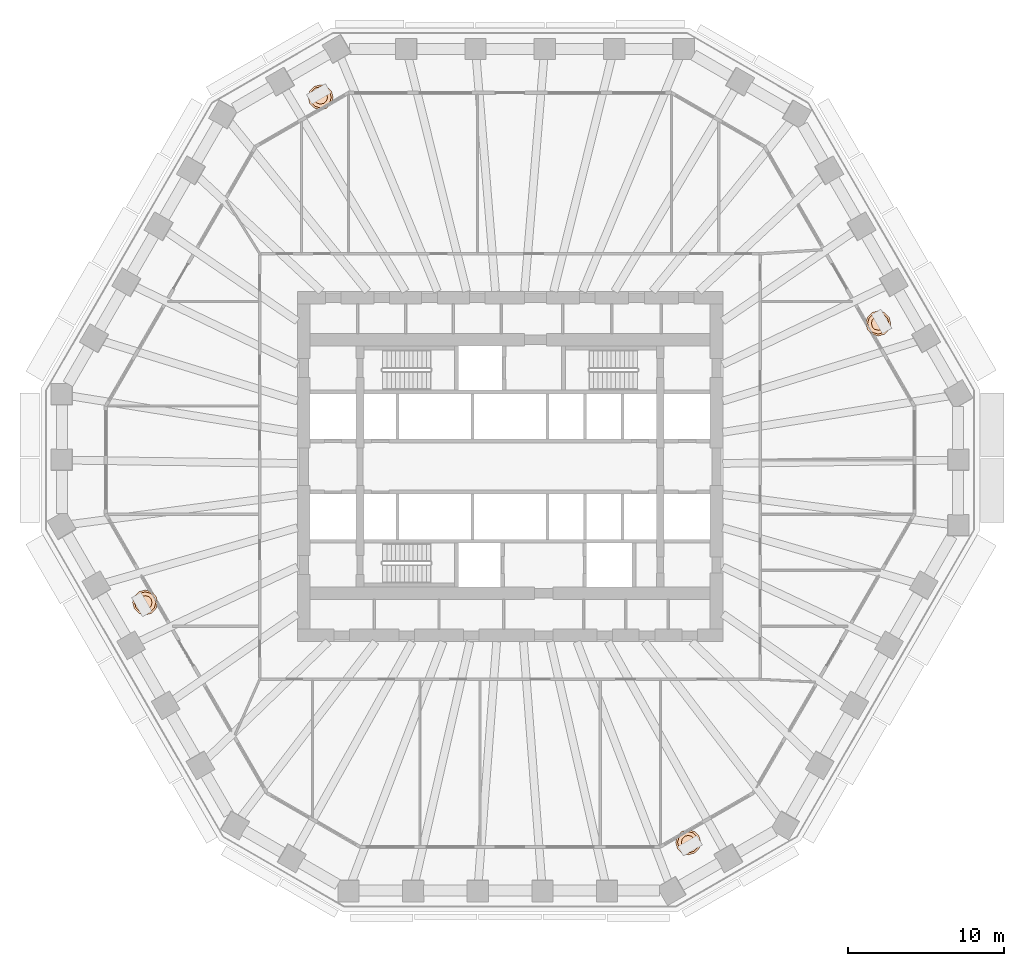
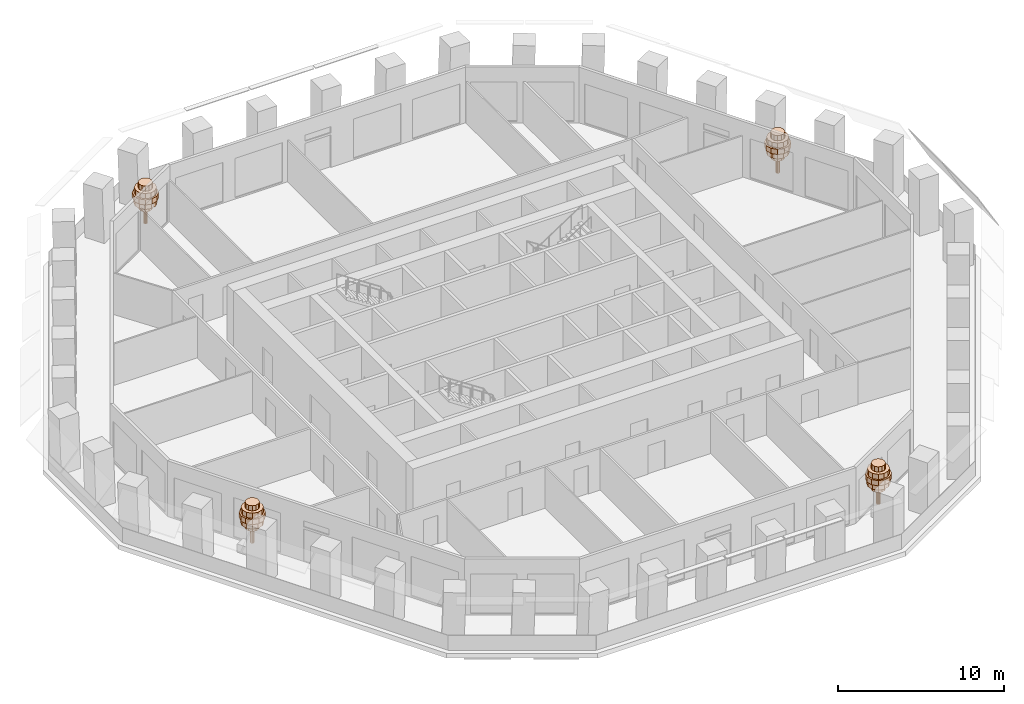
# One storey, part 13 of 13: 4 geographic elements.
"""IFC4 building model written with IfcOpenShell, lengths in metres."""

from ifc_helpers import new_model, si_unit, direction, frame, origin, place, context, subcontext, project, spatial, polyline, outline, extrude, material, type_object, element, save


model = new_model("IFC4")

# Units and contexts
model_context = context("Model", 3, precision=1e-05, world=origin(), true_north=direction((0.0, 1.0)))
body_context = subcontext(model_context, "Body", "Model", "MODEL_VIEW")
ifc_project = project(units=[si_unit("LENGTHUNIT", "METRE"), si_unit("AREAUNIT", "SQUARE_METRE"), si_unit("VOLUMEUNIT", "CUBIC_METRE"), si_unit("PLANEANGLEUNIT", "RADIAN"), si_unit("MASSUNIT", "GRAM", prefix="KILO")], contexts=[model_context])

# Site, building, storey
site_placement = place(None, origin())
site = spatial("IfcSite", under=ifc_project, at=site_placement, CompositionType="ELEMENT")
building_placement = place(site_placement, origin())
building = spatial("IfcBuilding", under=site, at=building_placement, Name="Frailejon Research Tower", CompositionType="ELEMENT")
storey_placement = place(building_placement, frame((0.0, 0.0, 94.0)))
storey = spatial("IfcBuildingStorey", under=building, at=storey_placement, Name="L20", CompositionType="ELEMENT", Elevation=94.0)

# Geographic elements
ifc_material = material(Name="Foliage, green")
geographic_element_type = type_object("IfcGeographicElementType", Name="Frailejon tree, loggia", PredefinedType="USERDEFINED", material=ifc_material)
geographic_element_1_placement = place(storey_placement, frame((23.543701171875, 9.15087890625, 0.60009765625)))
element("IfcGeographicElement", 1, at=geographic_element_1_placement, inside=storey, type_object=geographic_element_type, Name="Tree L20", ObjectType="TREE", PredefinedType="USERDEFINED", context=body_context, shape_type="SweptSolid", body=[
    extrude(outline(polyline([(0.1298828125, 0.0), (0.112548828125, 0.06494140625), (0.06494140625, 0.112548828125), (0.0, 0.1298828125), (-0.06494140625, 0.112548828125), (-0.112548828125, 0.06494140625), (-0.1298828125, 0.0), (-0.112548828125, -0.06494140625), (-0.06494140625, -0.112548828125), (0.0, -0.1298828125), (0.06494140625, -0.112548828125), (0.112548828125, -0.06494140625), (0.1298828125, 0.0)])), origin(), (0.0, 0.0, 1.0), 2.239990234375),
    extrude(outline(polyline([(0.43994140625, 0.0), (0.381103515625, 0.219970703125), (0.219970703125, 0.381103515625), (0.0, 0.43994140625), (-0.219970703125, 0.381103515625), (-0.381103515625, 0.219970703125), (-0.43994140625, 0.0), (-0.381103515625, -0.219970703125), (-0.219970703125, -0.381103515625), (0.0, -0.43994140625), (0.219970703125, -0.381103515625), (0.381103515625, -0.219970703125), (0.43994140625, 0.0)])), frame((0.0, 0.0, 1.10009765625)), (0.0, 0.0, 1.0), 0.3798828125),
    extrude(outline(polyline([(0.719970703125, 0.0), (0.62353515625, 0.360107421875), (0.360107421875, 0.62353515625), (0.0, 0.719970703125), (-0.360107421875, 0.62353515625), (-0.62353515625, 0.360107421875), (-0.719970703125, 0.0), (-0.62353515625, -0.360107421875), (-0.360107421875, -0.62353515625), (0.0, -0.719970703125), (0.360107421875, -0.62353515625), (0.62353515625, -0.360107421875), (0.719970703125, 0.0)])), frame((0.0, 0.0, 1.47998046875)), (0.0, 0.0, 1.0), 0.3798828125),
    extrude(outline(polyline([(0.800048828125, 0.0), (0.69287109375, 0.39990234375), (0.39990234375, 0.69287109375), (0.0, 0.800048828125), (-0.39990234375, 0.69287109375), (-0.69287109375, 0.39990234375), (-0.800048828125, 0.0), (-0.69287109375, -0.39990234375), (-0.39990234375, -0.69287109375), (0.0, -0.800048828125), (0.39990234375, -0.69287109375), (0.69287109375, -0.39990234375), (0.800048828125, 0.0)])), frame((0.0, 0.0, 1.860107421875)), (0.0, 0.0, 1.0), 0.3798828125),
    extrude(outline(polyline([(0.679931640625, 0.0), (0.5888671875, 0.340087890625), (0.340087890625, 0.5888671875), (0.0, 0.679931640625), (-0.340087890625, 0.5888671875), (-0.5888671875, 0.340087890625), (-0.679931640625, 0.0), (-0.5888671875, -0.340087890625), (-0.340087890625, -0.5888671875), (0.0, -0.679931640625), (0.340087890625, -0.5888671875), (0.5888671875, -0.340087890625), (0.679931640625, 0.0)])), frame((0.0, 0.0, 2.239990234375)), (0.0, 0.0, 1.0), 0.3798828125),
    extrude(outline(polyline([(0.43994140625, 0.0), (0.381103515625, 0.219970703125), (0.219970703125, 0.381103515625), (0.0, 0.43994140625), (-0.219970703125, 0.381103515625), (-0.381103515625, 0.219970703125), (-0.43994140625, 0.0), (-0.381103515625, -0.219970703125), (-0.219970703125, -0.381103515625), (0.0, -0.43994140625), (0.219970703125, -0.381103515625), (0.381103515625, -0.219970703125), (0.43994140625, 0.0)])), frame((0.0, 0.0, 2.6201171875)), (0.0, 0.0, 1.0), 0.3798828125),
])
geographic_element_2_placement = place(storey_placement, frame((-12.1103515625, 23.6103515625, 0.60009765625)))
element("IfcGeographicElement", 2, at=geographic_element_2_placement, inside=storey, type_object=geographic_element_type, Name="Tree L20", ObjectType="TREE", PredefinedType="USERDEFINED", context=body_context, shape_type="SweptSolid", body=[
    extrude(outline(polyline([(0.1298828125, 0.0), (0.112548828125, 0.06494140625), (0.06494140625, 0.112548828125), (0.0, 0.1298828125), (-0.06494140625, 0.112548828125), (-0.112548828125, 0.06494140625), (-0.1298828125, 0.0), (-0.112548828125, -0.06494140625), (-0.06494140625, -0.112548828125), (0.0, -0.1298828125), (0.06494140625, -0.112548828125), (0.112548828125, -0.06494140625), (0.1298828125, 0.0)])), origin(), (0.0, 0.0, 1.0), 2.239990234375),
    extrude(outline(polyline([(0.43994140625, 0.0), (0.381103515625, 0.219970703125), (0.219970703125, 0.381103515625), (0.0, 0.43994140625), (-0.219970703125, 0.381103515625), (-0.381103515625, 0.219970703125), (-0.43994140625, 0.0), (-0.381103515625, -0.219970703125), (-0.219970703125, -0.381103515625), (0.0, -0.43994140625), (0.219970703125, -0.381103515625), (0.381103515625, -0.219970703125), (0.43994140625, 0.0)])), frame((0.0, 0.0, 1.10009765625)), (0.0, 0.0, 1.0), 0.3798828125),
    extrude(outline(polyline([(0.719970703125, 0.0), (0.62353515625, 0.360107421875), (0.360107421875, 0.62353515625), (0.0, 0.719970703125), (-0.360107421875, 0.62353515625), (-0.62353515625, 0.360107421875), (-0.719970703125, 0.0), (-0.62353515625, -0.360107421875), (-0.360107421875, -0.62353515625), (0.0, -0.719970703125), (0.360107421875, -0.62353515625), (0.62353515625, -0.360107421875), (0.719970703125, 0.0)])), frame((0.0, 0.0, 1.47998046875)), (0.0, 0.0, 1.0), 0.3798828125),
    extrude(outline(polyline([(0.800048828125, 0.0), (0.69287109375, 0.39990234375), (0.39990234375, 0.69287109375), (0.0, 0.800048828125), (-0.39990234375, 0.69287109375), (-0.69287109375, 0.39990234375), (-0.800048828125, 0.0), (-0.69287109375, -0.39990234375), (-0.39990234375, -0.69287109375), (0.0, -0.800048828125), (0.39990234375, -0.69287109375), (0.69287109375, -0.39990234375), (0.800048828125, 0.0)])), frame((0.0, 0.0, 1.860107421875)), (0.0, 0.0, 1.0), 0.3798828125),
    extrude(outline(polyline([(0.679931640625, 0.0), (0.5888671875, 0.340087890625), (0.340087890625, 0.5888671875), (0.0, 0.679931640625), (-0.340087890625, 0.5888671875), (-0.5888671875, 0.340087890625), (-0.679931640625, 0.0), (-0.5888671875, -0.340087890625), (-0.340087890625, -0.5888671875), (0.0, -0.679931640625), (0.340087890625, -0.5888671875), (0.5888671875, -0.340087890625), (0.679931640625, 0.0)])), frame((0.0, 0.0, 2.239990234375)), (0.0, 0.0, 1.0), 0.3798828125),
    extrude(outline(polyline([(0.43994140625, 0.0), (0.381103515625, 0.219970703125), (0.219970703125, 0.381103515625), (0.0, 0.43994140625), (-0.219970703125, 0.381103515625), (-0.381103515625, 0.219970703125), (-0.43994140625, 0.0), (-0.381103515625, -0.219970703125), (-0.219970703125, -0.381103515625), (0.0, -0.43994140625), (0.219970703125, -0.381103515625), (0.381103515625, -0.219970703125), (0.43994140625, 0.0)])), frame((0.0, 0.0, 2.6201171875)), (0.0, 0.0, 1.0), 0.3798828125),
])
geographic_element_3_placement = place(storey_placement, frame((-23.327880859375, -8.694580078125, 0.60009765625)))
element("IfcGeographicElement", 3, at=geographic_element_3_placement, inside=storey, type_object=geographic_element_type, Name="Tree L20", ObjectType="TREE", PredefinedType="USERDEFINED", context=body_context, shape_type="SweptSolid", body=[
    extrude(outline(polyline([(0.1298828125, 0.0), (0.112548828125, 0.06494140625), (0.06494140625, 0.112548828125), (0.0, 0.1298828125), (-0.06494140625, 0.112548828125), (-0.112548828125, 0.06494140625), (-0.1298828125, 0.0), (-0.112548828125, -0.06494140625), (-0.06494140625, -0.112548828125), (0.0, -0.1298828125), (0.06494140625, -0.112548828125), (0.112548828125, -0.06494140625), (0.1298828125, 0.0)])), origin(), (0.0, 0.0, 1.0), 2.239990234375),
    extrude(outline(polyline([(0.43994140625, 0.0), (0.381103515625, 0.219970703125), (0.219970703125, 0.381103515625), (0.0, 0.43994140625), (-0.219970703125, 0.381103515625), (-0.381103515625, 0.219970703125), (-0.43994140625, 0.0), (-0.381103515625, -0.219970703125), (-0.219970703125, -0.381103515625), (0.0, -0.43994140625), (0.219970703125, -0.381103515625), (0.381103515625, -0.219970703125), (0.43994140625, 0.0)])), frame((0.0, 0.0, 1.10009765625)), (0.0, 0.0, 1.0), 0.3798828125),
    extrude(outline(polyline([(0.719970703125, 0.0), (0.62353515625, 0.360107421875), (0.360107421875, 0.62353515625), (0.0, 0.719970703125), (-0.360107421875, 0.62353515625), (-0.62353515625, 0.360107421875), (-0.719970703125, 0.0), (-0.62353515625, -0.360107421875), (-0.360107421875, -0.62353515625), (0.0, -0.719970703125), (0.360107421875, -0.62353515625), (0.62353515625, -0.360107421875), (0.719970703125, 0.0)])), frame((0.0, 0.0, 1.47998046875)), (0.0, 0.0, 1.0), 0.3798828125),
    extrude(outline(polyline([(0.800048828125, 0.0), (0.69287109375, 0.39990234375), (0.39990234375, 0.69287109375), (0.0, 0.800048828125), (-0.39990234375, 0.69287109375), (-0.69287109375, 0.39990234375), (-0.800048828125, 0.0), (-0.69287109375, -0.39990234375), (-0.39990234375, -0.69287109375), (0.0, -0.800048828125), (0.39990234375, -0.69287109375), (0.69287109375, -0.39990234375), (0.800048828125, 0.0)])), frame((0.0, 0.0, 1.860107421875)), (0.0, 0.0, 1.0), 0.3798828125),
    extrude(outline(polyline([(0.679931640625, 0.0), (0.5888671875, 0.340087890625), (0.340087890625, 0.5888671875), (0.0, 0.679931640625), (-0.340087890625, 0.5888671875), (-0.5888671875, 0.340087890625), (-0.679931640625, 0.0), (-0.5888671875, -0.340087890625), (-0.340087890625, -0.5888671875), (0.0, -0.679931640625), (0.340087890625, -0.5888671875), (0.5888671875, -0.340087890625), (0.679931640625, 0.0)])), frame((0.0, 0.0, 2.239990234375)), (0.0, 0.0, 1.0), 0.3798828125),
    extrude(outline(polyline([(0.43994140625, 0.0), (0.381103515625, 0.219970703125), (0.219970703125, 0.381103515625), (0.0, 0.43994140625), (-0.219970703125, 0.381103515625), (-0.381103515625, 0.219970703125), (-0.43994140625, 0.0), (-0.381103515625, -0.219970703125), (-0.219970703125, -0.381103515625), (0.0, -0.43994140625), (0.219970703125, -0.381103515625), (0.381103515625, -0.219970703125), (0.43994140625, 0.0)])), frame((0.0, 0.0, 2.6201171875)), (0.0, 0.0, 1.0), 0.3798828125),
])
geographic_element_4_placement = place(storey_placement, frame((11.391845703125, -24.025146484375, 0.60009765625)))
element("IfcGeographicElement", 4, at=geographic_element_4_placement, inside=storey, type_object=geographic_element_type, Name="Tree L20", ObjectType="TREE", PredefinedType="USERDEFINED", context=body_context, shape_type="SweptSolid", body=[
    extrude(outline(polyline([(0.1298828125, 0.0), (0.112548828125, 0.06494140625), (0.06494140625, 0.112548828125), (0.0, 0.1298828125), (-0.06494140625, 0.112548828125), (-0.112548828125, 0.06494140625), (-0.1298828125, 0.0), (-0.112548828125, -0.06494140625), (-0.06494140625, -0.112548828125), (0.0, -0.1298828125), (0.06494140625, -0.112548828125), (0.112548828125, -0.06494140625), (0.1298828125, 0.0)])), origin(), (0.0, 0.0, 1.0), 2.239990234375),
    extrude(outline(polyline([(0.43994140625, 0.0), (0.381103515625, 0.219970703125), (0.219970703125, 0.381103515625), (0.0, 0.43994140625), (-0.219970703125, 0.381103515625), (-0.381103515625, 0.219970703125), (-0.43994140625, 0.0), (-0.381103515625, -0.219970703125), (-0.219970703125, -0.381103515625), (0.0, -0.43994140625), (0.219970703125, -0.381103515625), (0.381103515625, -0.219970703125), (0.43994140625, 0.0)])), frame((0.0, 0.0, 1.10009765625)), (0.0, 0.0, 1.0), 0.3798828125),
    extrude(outline(polyline([(0.719970703125, 0.0), (0.62353515625, 0.360107421875), (0.360107421875, 0.62353515625), (0.0, 0.719970703125), (-0.360107421875, 0.62353515625), (-0.62353515625, 0.360107421875), (-0.719970703125, 0.0), (-0.62353515625, -0.360107421875), (-0.360107421875, -0.62353515625), (0.0, -0.719970703125), (0.360107421875, -0.62353515625), (0.62353515625, -0.360107421875), (0.719970703125, 0.0)])), frame((0.0, 0.0, 1.47998046875)), (0.0, 0.0, 1.0), 0.3798828125),
    extrude(outline(polyline([(0.800048828125, 0.0), (0.69287109375, 0.39990234375), (0.39990234375, 0.69287109375), (0.0, 0.800048828125), (-0.39990234375, 0.69287109375), (-0.69287109375, 0.39990234375), (-0.800048828125, 0.0), (-0.69287109375, -0.39990234375), (-0.39990234375, -0.69287109375), (0.0, -0.800048828125), (0.39990234375, -0.69287109375), (0.69287109375, -0.39990234375), (0.800048828125, 0.0)])), frame((0.0, 0.0, 1.860107421875)), (0.0, 0.0, 1.0), 0.3798828125),
    extrude(outline(polyline([(0.679931640625, 0.0), (0.5888671875, 0.340087890625), (0.340087890625, 0.5888671875), (0.0, 0.679931640625), (-0.340087890625, 0.5888671875), (-0.5888671875, 0.340087890625), (-0.679931640625, 0.0), (-0.5888671875, -0.340087890625), (-0.340087890625, -0.5888671875), (0.0, -0.679931640625), (0.340087890625, -0.5888671875), (0.5888671875, -0.340087890625), (0.679931640625, 0.0)])), frame((0.0, 0.0, 2.239990234375)), (0.0, 0.0, 1.0), 0.3798828125),
    extrude(outline(polyline([(0.43994140625, 0.0), (0.381103515625, 0.219970703125), (0.219970703125, 0.381103515625), (0.0, 0.43994140625), (-0.219970703125, 0.381103515625), (-0.381103515625, 0.219970703125), (-0.43994140625, 0.0), (-0.381103515625, -0.219970703125), (-0.219970703125, -0.381103515625), (0.0, -0.43994140625), (0.219970703125, -0.381103515625), (0.381103515625, -0.219970703125), (0.43994140625, 0.0)])), frame((0.0, 0.0, 2.6201171875)), (0.0, 0.0, 1.0), 0.3798828125),
])

save(model, "model.ifc")
